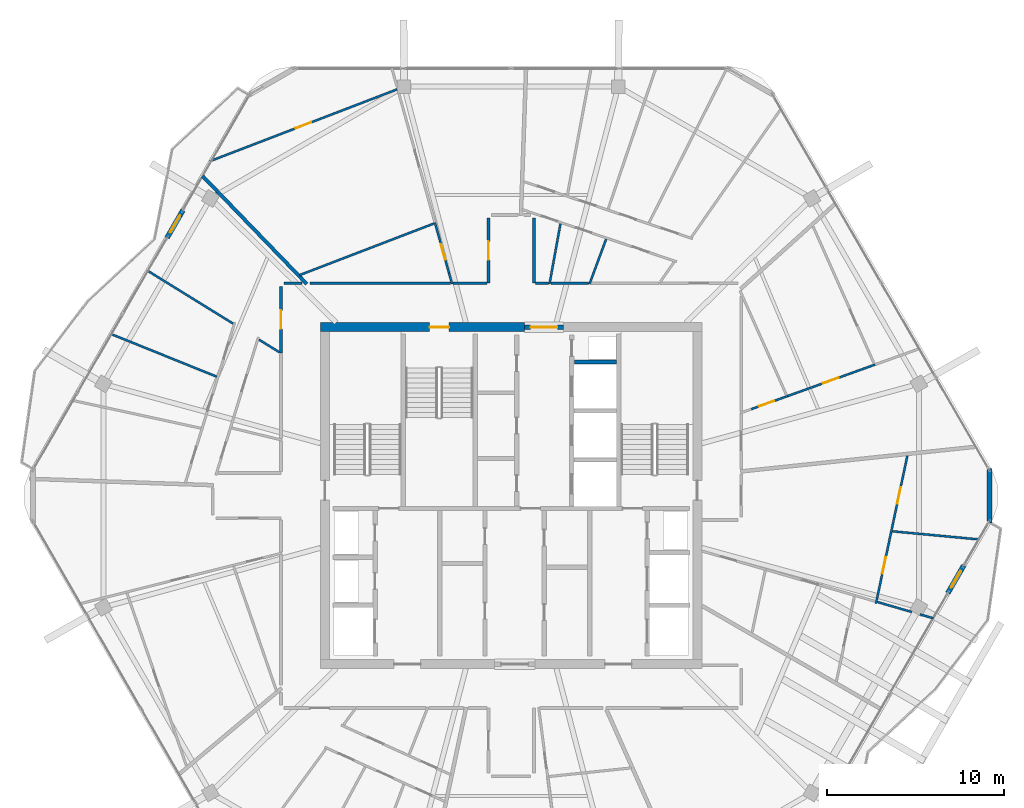
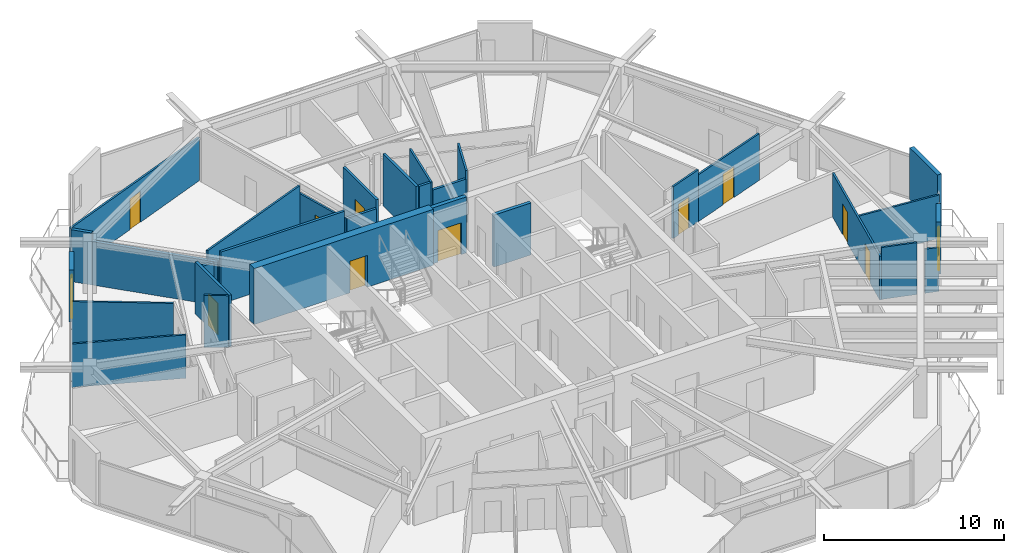
# One storey, part 18 of 23: 31 walls, 12 doors, 12 openings.
"""IFC4 building model written with IfcOpenShell, lengths in metres."""

from ifc_helpers import new_model, si_unit, direction, frame, frame_2d, origin, place, context, subcontext, project, spatial, rectangle, extrude, material, layer, layer_set, type_object, element, fill, save


model = new_model("IFC4")

# Units and contexts
model_context = context("Model", 3, precision=1e-05, world=origin(), true_north=direction((0.0, 1.0)))
body_context = subcontext(model_context, "Body", "Model", "MODEL_VIEW")
ifc_project = project(units=[si_unit("LENGTHUNIT", "METRE"), si_unit("AREAUNIT", "SQUARE_METRE"), si_unit("VOLUMEUNIT", "CUBIC_METRE"), si_unit("PLANEANGLEUNIT", "RADIAN"), si_unit("MASSUNIT", "GRAM", prefix="KILO")], contexts=[model_context])

# Site, building, storey
site_placement = place(None, origin())
site = spatial("IfcSite", under=ifc_project, at=site_placement, CompositionType="ELEMENT")
building_placement = place(site_placement, origin())
building = spatial("IfcBuilding", under=site, at=building_placement, Name="Zuhravey Tower", CompositionType="ELEMENT")
storey_placement = place(building_placement, frame((0.0, 0.0, 350.0)))
storey = spatial("IfcBuildingStorey", under=building, at=storey_placement, Name="L89", CompositionType="ELEMENT", Elevation=350.0)

# Wall, opening, door
ifc_material_1 = material(Name="Concrete C50/60", Category="concrete")
ifc_layer_1 = layer(ifc_material_1, 0.5)
ifc_layer_set_1 = layer_set([ifc_layer_1], Name="Concrete C50/60")
wall_type_1 = type_object("IfcWallType", Name="Core Shear Wall 500", PredefinedType="SHEAR", material=ifc_layer_set_1)
wall_1_placement = place(storey_placement, frame((36.75, 41.5, 0.0), z_axis=(0.0, 0.0, 1.0), x_axis=(-1.0, 0.0, 0.0)))
wall_1 = element("IfcWall", 1, at=wall_1_placement, inside=storey, type_object=wall_type_1, Name="L89 North-West Core Shear Wall CW50", PredefinedType="SHEAR", context=body_context, shape_type="SweptSolid", body=[
    extrude(rectangle(XDim=11.5, YDim=0.5, at=frame_2d((5.75, 0.0))), origin(), (0.0, 0.0, 1.0), 3.800048828125),
])
opening_1_placement = place(wall_1_placement, frame((4.25, 0.0, 0.0)))
opening_1 = element("IfcOpeningElement", 2, at=opening_1_placement, cuts=wall_1, Name="Opening STD1", PredefinedType="OPENING", context=body_context, shape_type="SweptSolid", body=[
    extrude(rectangle(XDim=1.10009765625, YDim=2.14990234375, at=frame_2d((0.550048828125, 1.074951171875))), frame((0.0, 0.261962890625, 0.0), z_axis=(0.0, -1.0, 0.0), x_axis=(1.0, 0.0, 0.0)), (0.0, 0.0, 1.0), 0.52392578125),
])
ifc_material_2 = material(Name="Galvanised fire-rated steel leaf", Category="steel")
door_type_1 = type_object("IfcDoorType", Name="Protected Stair Fire Door 1100x2150", OperationType="NOTDEFINED", PredefinedType="USERDEFINED", material=ifc_material_2)
door_1_placement = place(opening_1_placement, origin())
door_1 = element("IfcDoor", 3, at=door_1_placement, inside=storey, type_object=door_type_1, Name="L89 Stair ST3 Door", ObjectType="EXITDOOR", OperationType="SINGLE_SWING_RIGHT", OverallHeight=2.14990234375, OverallWidth=1.10009765625, PredefinedType="USERDEFINED", context=body_context, shape_type="SweptSolid", body=[
    extrude(rectangle(XDim=1.10009765625, YDim=2.14990234375, at=frame_2d((0.550048828125, 1.074951171875))), frame((0.0, 0.02490234375, 0.0), z_axis=(0.0, -1.0, 0.0), x_axis=(1.0, 0.0, 0.0)), (0.0, 0.0, 1.0), 0.050048828125),
])
fill(opening_1, door_1)

ifc_material_3 = material(Name="Gypsum fire-rated stud partition")
ifc_layer_2 = layer(ifc_material_3, 0.159912109375)
ifc_layer_set_2 = layer_set([ifc_layer_2], Name="Gypsum fire-rated stud partition")
wall_type_2 = type_object("IfcWallType", Name="Corridor Fire Partition 160", PredefinedType="PARTITIONING", material=ifc_layer_set_2)
wall_2_placement = place(storey_placement, frame((34.719970703125, 47.64990234375, 0.0), z_axis=(0.0, 0.0, 1.0), x_axis=(0.0, -1.0, 0.0)))
wall_2 = element("IfcWall", 4, at=wall_2_placement, inside=storey, type_object=wall_type_2, Name="L89 IW16 Partition 026", PredefinedType="PARTITIONING", context=body_context, shape_type="SweptSolid", body=[
    extrude(rectangle(XDim=3.669921875, YDim=0.159912109375, at=frame_2d((1.8349609375, 0.0))), origin(), (0.0, 0.0, 1.0), 3.52001953125),
])
opening_2_placement = place(wall_2_placement, frame((1.31005859375, 0.0, 0.0)))
opening_2 = element("IfcOpeningElement", 5, at=opening_2_placement, cuts=wall_2, Name="Opening APD1", PredefinedType="OPENING", context=body_context, shape_type="SweptSolid", body=[
    extrude(rectangle(XDim=1.050048828125, YDim=2.14990234375, at=frame_2d((0.52490234375, 1.074951171875))), frame((0.0, 0.092041015625, 0.0), z_axis=(0.0, -1.0, 0.0), x_axis=(1.0, 0.0, 0.0)), (0.0, 0.0, 1.0), 0.183837890625),
])
ifc_material_4 = material(Name="Solid-core oak fire-rated leaf")
door_type_2 = type_object("IfcDoorType", Name="Apartment Entrance Fire Door 1050x2150", OperationType="NOTDEFINED", PredefinedType="DOOR", material=ifc_material_4)
door_2_placement = place(opening_2_placement, frame((1.050048828125, 0.0, 0.0), z_axis=(0.0, 0.0, 1.0), x_axis=(-1.0, 0.0, 0.0)))
door_2 = element("IfcDoor", 6, at=door_2_placement, inside=storey, type_object=door_type_2, Name="L89 Door 026.1", OperationType="SINGLE_SWING_RIGHT", OverallHeight=2.14990234375, OverallWidth=1.050048828125, PredefinedType="DOOR", context=body_context, shape_type="SweptSolid", body=[
    extrude(rectangle(XDim=1.050048828125, YDim=2.14990234375, at=frame_2d((0.52490234375, 1.074951171875))), frame((0.0, 0.02490234375, 0.0), z_axis=(0.0, -1.0, 0.0), x_axis=(1.0, 0.0, 0.0)), (0.0, 0.0, 1.0), 0.050048828125),
])
fill(opening_2, door_2)

wall_3_placement = place(storey_placement, frame((23.02001953125, 43.79931640625, 0.0), z_axis=(0.0, 0.0, 1.0), x_axis=(0.0, -1.0, 0.0)))
wall_3 = element("IfcWall", 7, at=wall_3_placement, inside=storey, type_object=wall_type_2, Name="L89 IW16 Partition 029", PredefinedType="PARTITIONING", context=body_context, shape_type="SweptSolid", body=[
    extrude(rectangle(XDim=3.74658203125, YDim=0.159912109375, at=frame_2d((1.873291015625, 0.0))), origin(), (0.0, 0.0, 1.0), 3.52001953125),
])
opening_3_placement = place(wall_3_placement, frame((1.348388671875, 0.0, 0.0)))
opening_3 = element("IfcOpeningElement", 8, at=opening_3_placement, cuts=wall_3, Name="Opening APD1", PredefinedType="OPENING", context=body_context, shape_type="SweptSolid", body=[
    extrude(rectangle(XDim=1.050048828125, YDim=2.14990234375, at=frame_2d((0.52490234375, 1.074951171875))), frame((0.0, 0.092041015625, 0.0), z_axis=(0.0, -1.0, 0.0), x_axis=(1.0, 0.0, 0.0)), (0.0, 0.0, 1.0), 0.183837890625),
])
door_3_placement = place(opening_3_placement, frame((1.050048828125, 0.0, 0.0), z_axis=(0.0, 0.0, 1.0), x_axis=(-1.0, 0.0, 0.0)))
door_3 = element("IfcDoor", 9, at=door_3_placement, inside=storey, type_object=door_type_2, Name="L89 Door 029.1", OperationType="SINGLE_SWING_RIGHT", OverallHeight=2.14990234375, OverallWidth=1.050048828125, PredefinedType="DOOR", context=body_context, shape_type="SweptSolid", body=[
    extrude(rectangle(XDim=1.050048828125, YDim=2.14990234375, at=frame_2d((0.52490234375, 1.074951171875))), frame((0.0, 0.02490234375, 0.0), z_axis=(0.0, -1.0, 0.0), x_axis=(1.0, 0.0, 0.0)), (0.0, 0.0, 1.0), 0.050048828125),
])
fill(opening_3, door_3)

# Walls
wall_4_placement = place(storey_placement, frame((40.36376953125, 43.97998046875, 0.0), z_axis=(0.0, 0.0, 1.0), x_axis=(-1.0, 0.0, 0.0)))
element("IfcWall", 10, at=wall_4_placement, inside=storey, type_object=wall_type_2, Name="L89 IW16 Partition 102", PredefinedType="PARTITIONING", context=body_context, shape_type="SweptSolid", body=[
    extrude(rectangle(XDim=2.12255859375, YDim=0.159912109375, at=frame_2d((1.061279296875, 0.0))), origin(), (0.0, 0.0, 1.0), 2.969970703125),
])
wall_5_placement = place(storey_placement, frame((37.280029296875, 43.97998046875, 0.0), z_axis=(0.0, 0.0, 1.0), x_axis=(0.0, 1.0, 0.0)))
element("IfcWall", 11, at=wall_5_placement, inside=storey, type_object=wall_type_2, Name="L89 IW16 Partition 103", PredefinedType="PARTITIONING", context=body_context, shape_type="SweptSolid", body=[
    extrude(rectangle(XDim=3.669921875, YDim=0.159912109375, at=frame_2d((1.8349609375, 0.0))), origin(), (0.0, 0.0, 1.0), 3.52001953125),
])
wall_6_placement = place(storey_placement, frame((38.102783203125, 43.97998046875, 0.0), z_axis=(0.0, 0.0, 1.0), x_axis=(-1.0, 0.0, 0.0)))
element("IfcWall", 12, at=wall_6_placement, inside=storey, type_object=wall_type_2, Name="L89 IW16 Partition 104", PredefinedType="PARTITIONING", context=body_context, shape_type="SweptSolid", body=[
    extrude(rectangle(XDim=0.73486328125, YDim=0.159912109375, at=frame_2d((0.367431640625, 0.0))), origin(), (0.0, 0.0, 1.0), 3.52001953125),
])
wall_7_placement = place(storey_placement, frame((34.632080078125, 43.97998046875, 0.0), z_axis=(0.0, 0.0, 1.0), x_axis=(-1.0, 0.0, 0.0)))
element("IfcWall", 13, at=wall_7_placement, inside=storey, type_object=wall_type_2, Name="L89 IW16 Partition 106", PredefinedType="PARTITIONING", context=body_context, shape_type="SweptSolid", body=[
    extrude(rectangle(XDim=1.906494140625, YDim=0.159912109375, at=frame_2d((0.953125, 0.0))), origin(), (0.0, 0.0, 1.0), 2.969970703125),
])
wall_8_placement = place(storey_placement, frame((32.58447265625, 43.97998046875, 0.0), z_axis=(0.0, 0.0, 1.0), x_axis=(-1.0, 0.0, 0.0)))
element("IfcWall", 14, at=wall_8_placement, inside=storey, type_object=wall_type_2, Name="L89 IW16 Partition 108", PredefinedType="PARTITIONING", context=body_context, shape_type="SweptSolid", body=[
    extrude(rectangle(XDim=7.925537109375, YDim=0.159912109375, at=frame_2d((3.962890625, 0.0))), origin(), (0.0, 0.0, 1.0), 3.52001953125),
])
wall_9_placement = place(storey_placement, frame((24.19921875, 43.97998046875, 0.0), z_axis=(0.0, 0.0, 1.0), x_axis=(-1.0, 0.0, 0.0)))
element("IfcWall", 15, at=wall_9_placement, inside=storey, type_object=wall_type_2, Name="L89 IW16 Partition 109", PredefinedType="PARTITIONING", context=body_context, shape_type="SweptSolid", body=[
    extrude(rectangle(XDim=0.99853515625, YDim=0.159912109375, at=frame_2d((0.499267578125, 0.0))), origin(), (0.0, 0.0, 1.0), 2.969970703125),
])

# Wall, opening, door
ifc_material_5 = material(Name="Precast concrete C40/50", Category="concrete")
ifc_layer_3 = layer(ifc_material_5, 0.280029296875)
ifc_layer_set_3 = layer_set([ifc_layer_3], Name="Precast concrete C40/50")
wall_type_3 = type_object("IfcWallType", Name="Crown Architectural Wall 280", PredefinedType="SOLIDWALL", material=ifc_layer_set_3)
wall_10_placement = place(storey_placement, frame((61.5205078125, 28.0546875, 0.0), z_axis=(0.0, 0.0, 1.0), x_axis=(-0.499982180423, -0.866035691677, 0.0)))
wall_10 = element("IfcWall", 16, at=wall_10_placement, inside=storey, type_object=wall_type_3, Name="L89 Face 6 Facade Pier EW28-1", PredefinedType="SOLIDWALL", context=body_context, shape_type="SweptSolid", body=[
    extrude(rectangle(XDim=1.7900390625, YDim=0.280029296875, at=frame_2d((0.89501953125, 0.0))), origin(), (0.0, 0.0, 1.0), 3.52001953125),
])
opening_4_placement = place(wall_10_placement, frame((0.344970703125, 0.0, 0.0)))
opening_4 = element("IfcOpeningElement", 17, at=opening_4_placement, cuts=wall_10, Name="Opening BLD1", PredefinedType="OPENING", context=body_context, shape_type="SweptSolid", body=[
    extrude(rectangle(XDim=1.10009765625, YDim=2.199951171875, at=frame_2d((0.550048828125, 1.10009765625))), frame((0.0, 0.152099609375, 0.0), z_axis=(0.0, -1.0, 0.0), x_axis=(1.0, 0.0, 0.0)), (0.0, 0.0, 1.0), 0.303955078125),
])
ifc_material_6 = material(Name="Thermally broken aluminium and low-E glass", Category="aluminium")
door_type_3 = type_object("IfcDoorType", Name="Balcony & Sky-Tray Glazed Door 1100x2200", OperationType="NOTDEFINED", PredefinedType="DOOR", material=ifc_material_6)
door_4_placement = place(opening_4_placement, frame((1.10009765625, 0.0, 0.0), z_axis=(0.0, 0.0, 1.0), x_axis=(-1.0, 0.0, 0.0)))
door_4 = element("IfcDoor", 18, at=door_4_placement, inside=storey, type_object=door_type_3, Name="L89 Face 6 Wave Balcony Door", OperationType="SINGLE_SWING_LEFT", OverallHeight=2.199951171875, OverallWidth=1.10009765625, PredefinedType="DOOR", context=body_context, shape_type="SweptSolid", body=[
    extrude(rectangle(XDim=1.10009765625, YDim=2.199951171875, at=frame_2d((0.550048828125, 1.10009765625))), frame((0.0, 0.02490234375, 0.0), z_axis=(0.0, -1.0, 0.0), x_axis=(1.0, 0.0, 0.0)), (0.0, 0.0, 1.0), 0.050048828125),
])
fill(opening_4, door_4)

wall_11_placement = place(storey_placement, frame((16.59765625, 46.54248046875, 0.0), z_axis=(0.0, 0.0, 1.0), x_axis=(0.499982180423, 0.866035691677, 0.0)))
wall_11 = element("IfcWall", 19, at=wall_11_placement, inside=storey, type_object=wall_type_3, Name="L89 Face 3 Facade Pier EW28-1", PredefinedType="SOLIDWALL", context=body_context, shape_type="SweptSolid", body=[
    extrude(rectangle(XDim=1.7900390625, YDim=0.280029296875, at=frame_2d((0.89501953125, 0.0))), origin(), (0.0, 0.0, 1.0), 3.52001953125),
])
opening_5_placement = place(wall_11_placement, frame((0.344970703125, 0.0, 0.0)))
opening_5 = element("IfcOpeningElement", 20, at=opening_5_placement, cuts=wall_11, Name="Opening BLD1", PredefinedType="OPENING", context=body_context, shape_type="SweptSolid", body=[
    extrude(rectangle(XDim=1.10009765625, YDim=2.199951171875, at=frame_2d((0.550048828125, 1.10009765625))), frame((0.0, 0.152099609375, 0.0), z_axis=(0.0, -1.0, 0.0), x_axis=(1.0, 0.0, 0.0)), (0.0, 0.0, 1.0), 0.303955078125),
])
door_5_placement = place(opening_5_placement, frame((1.10009765625, 0.0, 0.0), z_axis=(0.0, 0.0, 1.0), x_axis=(-1.0, 0.0, 0.0)))
door_5 = element("IfcDoor", 21, at=door_5_placement, inside=storey, type_object=door_type_3, Name="L89 Face 3 Wave Balcony Door", OperationType="SINGLE_SWING_RIGHT", OverallHeight=2.199951171875, OverallWidth=1.10009765625, PredefinedType="DOOR", context=body_context, shape_type="SweptSolid", body=[
    extrude(rectangle(XDim=1.10009765625, YDim=2.199951171875, at=frame_2d((0.550048828125, 1.10009765625))), frame((0.0, 0.02490234375, 0.0), z_axis=(0.0, -1.0, 0.0), x_axis=(1.0, 0.0, 0.0)), (0.0, 0.0, 1.0), 0.050048828125),
])
fill(opening_5, door_5)

# Wall
wall_12_placement = place(storey_placement, frame((62.968505859375, 33.532470703125, 0.0), z_axis=(0.0, 0.0, 1.0), x_axis=(0.0, -1.0, 0.0)))
element("IfcWall", 22, at=wall_12_placement, inside=storey, type_object=wall_type_3, Name="L89 Rounded Corner Closure Wall EW28-12", PredefinedType="SOLIDWALL", context=body_context, shape_type="SweptSolid", body=[
    extrude(rectangle(XDim=3.06494140625, YDim=0.280029296875, at=frame_2d((1.532470703125, 0.0))), origin(), (0.0, 0.0, 1.0), 3.52001953125),
])

# Wall, opening, door
ifc_layer_4 = layer(ifc_material_1, 0.25)
ifc_layer_set_4 = layer_set([ifc_layer_4], Name="Concrete C50/60")
wall_type_4 = type_object("IfcWallType", Name="Firefighting Shaft & Stair Wall 250", PredefinedType="SOLIDWALL", material=ifc_layer_set_4)
wall_13_placement = place(storey_placement, frame((36.760009765625, 41.5, 0.0), z_axis=(0.0, 0.0, 1.0), x_axis=(1.0, 0.0, 0.0)))
wall_13 = element("IfcWall", 23, at=wall_13_placement, inside=storey, type_object=wall_type_4, Name="L89 FW25 Shaft Wall 002", PredefinedType="SOLIDWALL", context=body_context, shape_type="SweptSolid", body=[
    extrude(rectangle(XDim=2.179931640625, YDim=0.25, at=frame_2d((1.08984375, 0.0))), origin(), (0.0, 0.0, 1.0), 3.800048828125),
])
opening_6_placement = place(wall_13_placement, frame((0.340087890625, 0.0, 0.0)))
opening_6 = element("IfcOpeningElement", 24, at=opening_6_placement, cuts=wall_13, Name="Opening FFD1", PredefinedType="OPENING", context=body_context, shape_type="SweptSolid", body=[
    extrude(rectangle(XDim=1.5, YDim=2.14990234375, at=frame_2d((0.75, 1.074951171875))), frame((0.0, 0.136962890625, 0.0), z_axis=(0.0, -1.0, 0.0), x_axis=(1.0, 0.0, 0.0)), (0.0, 0.0, 1.0), 0.27392578125),
])
door_type_4 = type_object("IfcDoorType", Name="Firefighting Lobby Double Door 1500x2150", OperationType="DOUBLE_DOOR_SINGLE_SWING", PredefinedType="DOOR", material=ifc_material_2)
door_6_placement = place(opening_6_placement, origin())
door_6 = element("IfcDoor", 25, at=door_6_placement, inside=storey, type_object=door_type_4, Name="L89 North Lift Lobby Exit Door", OperationType="DOUBLE_DOOR_SINGLE_SWING", OverallHeight=2.14990234375, OverallWidth=1.5, PredefinedType="DOOR", context=body_context, shape_type="SweptSolid", body=[
    extrude(rectangle(XDim=1.5, YDim=2.14990234375, at=frame_2d((0.75, 1.074951171875))), frame((0.0, 0.02490234375, 0.0), z_axis=(0.0, -1.0, 0.0), x_axis=(1.0, 0.0, 0.0)), (0.0, 0.0, 1.0), 0.050048828125),
])
fill(opening_6, door_6)

# Walls
ifc_material_7 = material(Name="Gypsum double-stud party assembly")
ifc_layer_5 = layer(ifc_material_7, 0.199951171875)
ifc_layer_set_5 = layer_set([ifc_layer_5], Name="Gypsum double-stud party assembly")
wall_type_5 = type_object("IfcWallType", Name="Inter-Tenancy Party Wall 200", PredefinedType="PARTITIONING", material=ifc_layer_set_5)
wall_14_placement = place(storey_placement, frame((24.4697265625, 43.93994140625, 0.0), z_axis=(0.0, 0.0, 1.0), x_axis=(-0.694657696383, 0.719340451286, 0.0)))
element("IfcWall", 26, at=wall_14_placement, inside=storey, type_object=wall_type_5, Name="L89 IW20 Partition 069", PredefinedType="PARTITIONING", context=body_context, shape_type="SweptSolid", body=[
    extrude(rectangle(XDim=7.240234375, YDim=0.199951171875, at=frame_2d((3.6201171875, 0.0))), origin(), (0.0, 0.0, 1.0), 2.93994140625),
])
wall_15_placement = place(storey_placement, frame((19.43212890625, 49.156494140625, 0.0), z_axis=(0.0, 0.0, 1.0), x_axis=(-0.694627356025, 0.719369749337, 0.0)))
element("IfcWall", 27, at=wall_15_placement, inside=storey, type_object=wall_type_5, Name="L89 IW20 Partition 070", PredefinedType="PARTITIONING", context=body_context, shape_type="SweptSolid", body=[
    extrude(rectangle(XDim=1.19384765625, YDim=0.199951171875, at=frame_2d((0.596923828125, 0.0))), origin(), (0.0, 0.0, 1.0), 3.52001953125),
])
ifc_material_8 = material(Name="Gypsum acoustic stud assembly")
ifc_layer_6 = layer(ifc_material_8, 0.219970703125)
ifc_layer_set_6 = layer_set([ifc_layer_6], Name="Gypsum acoustic stud assembly")
wall_type_6 = type_object("IfcWallType", Name="School Acoustic Compartment Wall 220", PredefinedType="PARTITIONING", material=ifc_layer_set_6)
wall_16_placement = place(storey_placement, frame((39.55810546875, 39.52490234375, 0.0), z_axis=(0.0, 0.0, 1.0), x_axis=(1.0, 0.0, 0.0)))
element("IfcWall", 28, at=wall_16_placement, inside=storey, type_object=wall_type_6, Name="L89 IW22 Partition 055", PredefinedType="PARTITIONING", context=body_context, shape_type="SweptSolid", body=[
    extrude(rectangle(XDim=2.3837890625, YDim=0.219970703125, at=frame_2d((1.19189453125, 0.0))), origin(), (0.0, 0.0, 1.0), 3.52001953125),
])

# Wall, opening, door
ifc_material_9 = material(Name="Gypsum metal-stud partition")
ifc_layer_7 = layer(ifc_material_9, 0.1201171875)
ifc_layer_set_7 = layer_set([ifc_layer_7], Name="Gypsum metal-stud partition")
wall_type_7 = type_object("IfcWallType", Name="Unit Internal Partition 120", PredefinedType="PARTITIONING", material=ifc_layer_set_7)
wall_17_placement = place(storey_placement, frame((32.49609375, 44.550048828125, 0.0), z_axis=(0.0, 0.0, 1.0), x_axis=(-0.268945369645, 0.963155433015, 0.0)))
wall_17 = element("IfcWall", 29, at=wall_17_placement, inside=storey, type_object=wall_type_7, Name="L89 IW12 Partition 023", PredefinedType="PARTITIONING", context=body_context, shape_type="SweptSolid", body=[
    extrude(rectangle(XDim=2.9501953125, YDim=0.1201171875, at=frame_2d((1.47509765625, 0.0))), origin(), (0.0, 0.0, 1.0), 2.969970703125),
])
opening_7_placement = place(wall_17_placement, frame((0.789306640625, 0.0, 0.0)))
opening_7 = element("IfcOpeningElement", 30, at=opening_7_placement, cuts=wall_17, Name="Opening WCD1", PredefinedType="OPENING", context=body_context, shape_type="SweptSolid", body=[
    extrude(rectangle(XDim=0.89990234375, YDim=2.10009765625, at=frame_2d((0.449951171875, 1.050048828125))), frame((0.0, 0.072021484375, 0.0), z_axis=(0.0, -1.0, 0.0), x_axis=(1.0, 0.0, 0.0)), (0.0, 0.0, 1.0), 0.14404296875),
])
ifc_material_10 = material(Name="Moisture-resistant timber leaf", Category="wood")
door_type_5 = type_object("IfcDoorType", Name="Bathroom & WC Internal Door 900x2100", OperationType="NOTDEFINED", PredefinedType="DOOR", material=ifc_material_10)
door_7_placement = place(opening_7_placement, origin())
door_7 = element("IfcDoor", 31, at=door_7_placement, inside=storey, type_object=door_type_5, Name="Apartment L89-02 Bathroom Door", OperationType="SINGLE_SWING_LEFT", OverallHeight=2.10009765625, OverallWidth=0.89990234375, PredefinedType="DOOR", context=body_context, shape_type="SweptSolid", body=[
    extrude(rectangle(XDim=0.89990234375, YDim=2.10009765625, at=frame_2d((0.449951171875, 1.050048828125))), frame((0.0, 0.02490234375, 0.0), z_axis=(0.0, -1.0, 0.0), x_axis=(1.0, 0.0, 0.0)), (0.0, 0.0, 1.0), 0.050048828125),
])
fill(opening_7, door_7)

wall_18_placement = place(storey_placement, frame((29.56640625, 54.908203125, 0.0), z_axis=(0.0, 0.0, 1.0), x_axis=(-0.933585379148, -0.358355047184, 0.0)))
wall_18 = element("IfcWall", 32, at=wall_18_placement, inside=storey, type_object=wall_type_7, Name="L89 IW12 Partition 025", PredefinedType="PARTITIONING", context=body_context, shape_type="SweptSolid", body=[
    extrude(rectangle(XDim=11.326904296875, YDim=0.1201171875, at=frame_2d((5.66357421875, 0.0))), origin(), (0.0, 0.0, 1.0), 2.93994140625),
])
opening_8_placement = place(wall_18_placement, frame((5.1884765625, 0.0, 0.0)))
opening_8 = element("IfcOpeningElement", 33, at=opening_8_placement, cuts=wall_18, Name="Opening IND1", PredefinedType="OPENING", context=body_context, shape_type="SweptSolid", body=[
    extrude(rectangle(XDim=0.949951171875, YDim=2.10009765625, at=frame_2d((0.47509765625, 1.050048828125))), frame((0.0, 0.072021484375, 0.0), z_axis=(0.0, -1.0, 0.0), x_axis=(1.0, 0.0, 0.0)), (0.0, 0.0, 1.0), 0.14404296875),
])
ifc_material_11 = material(Name="Painted engineered timber leaf", Category="wood")
door_type_6 = type_object("IfcDoorType", Name="Internal Room & Bedroom Door 950x2100", OperationType="NOTDEFINED", PredefinedType="DOOR", material=ifc_material_11)
door_8_placement = place(opening_8_placement, frame((0.949951171875, 0.0, 0.0), z_axis=(0.0, 0.0, 1.0), x_axis=(-1.0, 0.0, 0.0)))
door_8 = element("IfcDoor", 34, at=door_8_placement, inside=storey, type_object=door_type_6, Name="Apartment L89-02 Bedroom 1 Door", OperationType="SINGLE_SWING_LEFT", OverallHeight=2.10009765625, OverallWidth=0.949951171875, PredefinedType="DOOR", context=body_context, shape_type="SweptSolid", body=[
    extrude(rectangle(XDim=0.949951171875, YDim=2.10009765625, at=frame_2d((0.47509765625, 1.050048828125))), frame((0.0, 0.02490234375, 0.0), z_axis=(0.0, -1.0, 0.0), x_axis=(1.0, 0.0, 0.0)), (0.0, 0.0, 1.0), 0.050048828125),
])
fill(opening_8, door_8)

# Wall, openings, doors
wall_19_placement = place(storey_placement, frame((56.572998046875, 25.9189453125, 0.0), z_axis=(0.0, 0.0, 1.0), x_axis=(0.207884804538, 0.978153315203, 0.0)))
wall_19 = element("IfcWall", 35, at=wall_19_placement, inside=storey, type_object=wall_type_7, Name="L89 IW12 Partition 042", PredefinedType="PARTITIONING", context=body_context, shape_type="SweptSolid", body=[
    extrude(rectangle(XDim=8.51904296875, YDim=0.1201171875, at=frame_2d((4.259521484375, 0.0))), origin(), (0.0, 0.0, 1.0), 2.969970703125),
])
opening_9_placement = place(wall_19_placement, frame((1.72802734375, 0.0, 0.0)))
opening_9 = element("IfcOpeningElement", 36, at=opening_9_placement, cuts=wall_19, Name="Opening IND1", PredefinedType="OPENING", context=body_context, shape_type="SweptSolid", body=[
    extrude(rectangle(XDim=0.949951171875, YDim=2.10009765625, at=frame_2d((0.47509765625, 1.050048828125))), frame((0.0, 0.072021484375, 0.0), z_axis=(0.0, -1.0, 0.0), x_axis=(1.0, 0.0, 0.0)), (0.0, 0.0, 1.0), 0.14404296875),
])
opening_10_placement = place(wall_19_placement, frame((5.746826171875, 0.0, 0.0)))
opening_10 = element("IfcOpeningElement", 37, at=opening_10_placement, cuts=wall_19, Name="Opening IND1", PredefinedType="OPENING", context=body_context, shape_type="SweptSolid", body=[
    extrude(rectangle(XDim=0.949951171875, YDim=2.10009765625, at=frame_2d((0.47509765625, 1.050048828125))), frame((0.0, 0.072021484375, 0.0), z_axis=(0.0, -1.0, 0.0), x_axis=(1.0, 0.0, 0.0)), (0.0, 0.0, 1.0), 0.14404296875),
])
door_9_placement = place(opening_9_placement, frame((0.949951171875, 0.0, 0.0), z_axis=(0.0, 0.0, 1.0), x_axis=(-1.0, 0.0, 0.0)))
door_9 = element("IfcDoor", 38, at=door_9_placement, inside=storey, type_object=door_type_6, Name="Apartment L89-08 Family Study Door", OperationType="SINGLE_SWING_RIGHT", OverallHeight=2.10009765625, OverallWidth=0.949951171875, PredefinedType="DOOR", context=body_context, shape_type="SweptSolid", body=[
    extrude(rectangle(XDim=0.949951171875, YDim=2.10009765625, at=frame_2d((0.47509765625, 1.050048828125))), frame((0.0, 0.02490234375, 0.0), z_axis=(0.0, -1.0, 0.0), x_axis=(1.0, 0.0, 0.0)), (0.0, 0.0, 1.0), 0.050048828125),
])
fill(opening_9, door_9)
door_10_placement = place(opening_10_placement, frame((0.949951171875, 0.0, 0.0), z_axis=(0.0, 0.0, 1.0), x_axis=(-1.0, 0.0, 0.0)))
door_10 = element("IfcDoor", 39, at=door_10_placement, inside=storey, type_object=door_type_6, Name="Apartment L89-08 Dining Room Door", OperationType="SINGLE_SWING_LEFT", OverallHeight=2.10009765625, OverallWidth=0.949951171875, PredefinedType="DOOR", context=body_context, shape_type="SweptSolid", body=[
    extrude(rectangle(XDim=0.949951171875, YDim=2.10009765625, at=frame_2d((0.47509765625, 1.050048828125))), frame((0.0, 0.02490234375, 0.0), z_axis=(0.0, -1.0, 0.0), x_axis=(1.0, 0.0, 0.0)), (0.0, 0.0, 1.0), 0.050048828125),
])
fill(opening_10, door_10)

# Wall, opening, door
wall_20_placement = place(storey_placement, frame((49.550048828125, 36.87841796875, 0.0), z_axis=(0.0, 0.0, 1.0), x_axis=(0.940904714612, 0.338671401244, 0.0)))
wall_20 = element("IfcWall", 40, at=wall_20_placement, inside=storey, type_object=wall_type_7, Name="L89 IW12 Partition 047", PredefinedType="PARTITIONING", context=body_context, shape_type="SweptSolid", body=[
    extrude(rectangle(XDim=2.158203125, YDim=0.1201171875, at=frame_2d((1.0791015625, 0.0))), origin(), (0.0, 0.0, 1.0), 3.52001953125),
])
opening_11_placement = place(wall_20_placement, frame((0.45654296875, 0.0, 0.0)))
opening_11 = element("IfcOpeningElement", 41, at=opening_11_placement, cuts=wall_20, Name="Opening WCD1", PredefinedType="OPENING", context=body_context, shape_type="SweptSolid", body=[
    extrude(rectangle(XDim=0.89990234375, YDim=2.10009765625, at=frame_2d((0.449951171875, 1.050048828125))), frame((0.0, 0.072021484375, 0.0), z_axis=(0.0, -1.0, 0.0), x_axis=(1.0, 0.0, 0.0)), (0.0, 0.0, 1.0), 0.14404296875),
])
door_11_placement = place(opening_11_placement, origin())
door_11 = element("IfcDoor", 42, at=door_11_placement, inside=storey, type_object=door_type_5, Name="Apartment L89-09 Bathroom Door", OperationType="SINGLE_SWING_RIGHT", OverallHeight=2.10009765625, OverallWidth=0.89990234375, PredefinedType="DOOR", context=body_context, shape_type="SweptSolid", body=[
    extrude(rectangle(XDim=0.89990234375, YDim=2.10009765625, at=frame_2d((0.449951171875, 1.050048828125))), frame((0.0, 0.02490234375, 0.0), z_axis=(0.0, -1.0, 0.0), x_axis=(1.0, 0.0, 0.0)), (0.0, 0.0, 1.0), 0.050048828125),
])
fill(opening_11, door_11)

wall_21_placement = place(storey_placement, frame((51.580810546875, 37.609375, 0.0), z_axis=(0.0, 0.0, 1.0), x_axis=(0.940870812365, 0.338765574461, 0.0)))
wall_21 = element("IfcWall", 43, at=wall_21_placement, inside=storey, type_object=wall_type_7, Name="L89 IW12 Partition 048", PredefinedType="PARTITIONING", context=body_context, shape_type="SweptSolid", body=[
    extrude(rectangle(XDim=5.250244140625, YDim=0.1201171875, at=frame_2d((2.625, 0.0))), origin(), (0.0, 0.0, 1.0), 3.169921875),
])
opening_12_placement = place(wall_21_placement, frame((2.125, 0.0, 0.0)))
opening_12 = element("IfcOpeningElement", 44, at=opening_12_placement, cuts=wall_21, Name="Opening IND1", PredefinedType="OPENING", context=body_context, shape_type="SweptSolid", body=[
    extrude(rectangle(XDim=0.949951171875, YDim=2.10009765625, at=frame_2d((0.47509765625, 1.050048828125))), frame((0.0, 0.072021484375, 0.0), z_axis=(0.0, -1.0, 0.0), x_axis=(1.0, 0.0, 0.0)), (0.0, 0.0, 1.0), 0.14404296875),
])
door_12_placement = place(opening_12_placement, origin())
door_12 = element("IfcDoor", 45, at=door_12_placement, inside=storey, type_object=door_type_6, Name="Apartment L89-09 Home Office Door", OperationType="SINGLE_SWING_LEFT", OverallHeight=2.10009765625, OverallWidth=0.949951171875, PredefinedType="DOOR", context=body_context, shape_type="SweptSolid", body=[
    extrude(rectangle(XDim=0.949951171875, YDim=2.10009765625, at=frame_2d((0.47509765625, 1.050048828125))), frame((0.0, 0.02490234375, 0.0), z_axis=(0.0, -1.0, 0.0), x_axis=(1.0, 0.0, 0.0)), (0.0, 0.0, 1.0), 0.050048828125),
])
fill(opening_12, door_12)

# Walls
wall_22_placement = place(storey_placement, frame((40.417724609375, 43.929931640625, 0.0), z_axis=(0.0, 0.0, 1.0), x_axis=(0.347234815936, 0.937778216105, 0.0)))
element("IfcWall", 46, at=wall_22_placement, inside=storey, type_object=wall_type_7, Name="L89 IW12 Partition 058", PredefinedType="PARTITIONING", context=body_context, shape_type="SweptSolid", body=[
    extrude(rectangle(XDim=2.69921875, YDim=0.1201171875, at=frame_2d((1.349609375, 0.0))), origin(), (0.0, 0.0, 1.0), 3.52001953125),
])
wall_23_placement = place(storey_placement, frame((38.162841796875, 43.929931640625, 0.0), z_axis=(0.0, 0.0, 1.0), x_axis=(0.178394636556, 0.983959020309, 0.0)))
element("IfcWall", 47, at=wall_23_placement, inside=storey, type_object=wall_type_7, Name="L89 IW12 Partition 059", PredefinedType="PARTITIONING", context=body_context, shape_type="SweptSolid", body=[
    extrude(rectangle(XDim=3.458251953125, YDim=0.1201171875, at=frame_2d((1.72900390625, 0.0))), origin(), (0.0, 0.0, 1.0), 3.52001953125),
])
wall_24_placement = place(storey_placement, frame((32.66748046875, 43.935791015625, 0.0), z_axis=(0.0, 0.0, 1.0), x_axis=(-0.268749408426, 0.963210130486, 0.0)))
element("IfcWall", 48, at=wall_24_placement, inside=storey, type_object=wall_type_7, Name="L89 IW12 Partition 066", PredefinedType="PARTITIONING", context=body_context, shape_type="SweptSolid", body=[
    extrude(rectangle(XDim=0.6376953125, YDim=0.1201171875, at=frame_2d((0.31884765625, 0.0))), origin(), (0.0, 0.0, 1.0), 2.969970703125),
])
wall_25_placement = place(storey_placement, frame((31.6455078125, 47.34326171875, 0.0), z_axis=(0.0, 0.0, 1.0), x_axis=(-0.933579396661, -0.358370632349, 0.0)))
element("IfcWall", 49, at=wall_25_placement, inside=storey, type_object=wall_type_7, Name="L89 IW12 Partition 068", PredefinedType="PARTITIONING", context=body_context, shape_type="SweptSolid", body=[
    extrude(rectangle(XDim=8.12109375, YDim=0.1201171875, at=frame_2d((4.060546875, 0.0))), origin(), (0.0, 0.0, 1.0), 3.52001953125),
])
wall_26_placement = place(storey_placement, frame((19.399658203125, 38.704833984375, 0.0), z_axis=(0.0, 0.0, 1.0), x_axis=(-0.927238534982, 0.374471226189, 0.0)))
element("IfcWall", 50, at=wall_26_placement, inside=storey, type_object=wall_type_7, Name="L89 IW12 Partition 072", PredefinedType="PARTITIONING", context=body_context, shape_type="SweptSolid", body=[
    extrude(rectangle(XDim=6.41796875, YDim=0.1201171875, at=frame_2d((3.208984375, 0.0))), origin(), (0.0, 0.0, 1.0), 2.93994140625),
])
wall_27_placement = place(storey_placement, frame((22.931884765625, 40.08349609375, 0.0), z_axis=(0.0, 0.0, 1.0), x_axis=(-0.85043369839, 0.52608224133, 0.0)))
element("IfcWall", 51, at=wall_27_placement, inside=storey, type_object=wall_type_7, Name="L89 IW12 Partition 074", PredefinedType="PARTITIONING", context=body_context, shape_type="SweptSolid", body=[
    extrude(rectangle(XDim=1.35791015625, YDim=0.1201171875, at=frame_2d((0.678955078125, 0.0))), origin(), (0.0, 0.0, 1.0), 3.52001953125),
])
wall_28_placement = place(storey_placement, frame((20.32177734375, 41.6982421875, 0.0), z_axis=(0.0, 0.0, 1.0), x_axis=(-0.850460895056, 0.526038274255, 0.0)))
element("IfcWall", 52, at=wall_28_placement, inside=storey, type_object=wall_type_7, Name="L89 IW12 Partition 075", PredefinedType="PARTITIONING", context=body_context, shape_type="SweptSolid", body=[
    extrude(rectangle(XDim=5.659912109375, YDim=0.1201171875, at=frame_2d((2.830078125, 0.0))), origin(), (0.0, 0.0, 1.0), 2.93994140625),
])
wall_29_placement = place(storey_placement, frame((57.5068359375, 29.98583984375, 0.0), z_axis=(0.0, 0.0, 1.0), x_axis=(0.995643444517, -0.093242326169, 0.0)))
element("IfcWall", 53, at=wall_29_placement, inside=storey, type_object=wall_type_7, Name="L89 IW12 Partition 092", PredefinedType="PARTITIONING", context=body_context, shape_type="SweptSolid", body=[
    extrude(rectangle(XDim=4.919921875, YDim=0.1201171875, at=frame_2d((2.4599609375, 0.0))), origin(), (0.0, 0.0, 1.0), 2.93994140625),
])
wall_30_placement = place(storey_placement, frame((56.6591796875, 25.998046875, 0.0), z_axis=(0.0, 0.0, 1.0), x_axis=(0.960282504677, -0.279029588417, 0.0)))
element("IfcWall", 54, at=wall_30_placement, inside=storey, type_object=wall_type_7, Name="L89 IW12 Partition 094", PredefinedType="PARTITIONING", context=body_context, shape_type="SweptSolid", body=[
    extrude(rectangle(XDim=2.01953125, YDim=0.1201171875, at=frame_2d((1.009765625, 0.0))), origin(), (0.0, 0.0, 1.0), 3.52001953125),
])
wall_31_placement = place(storey_placement, frame((59.052490234375, 25.302490234375, 0.0), z_axis=(0.0, 0.0, 1.0), x_axis=(0.960370297506, -0.278727271124, 0.0)))
element("IfcWall", 55, at=wall_31_placement, inside=storey, type_object=wall_type_7, Name="L89 IW12 Partition 095", PredefinedType="PARTITIONING", context=body_context, shape_type="SweptSolid", body=[
    extrude(rectangle(XDim=0.788330078125, YDim=0.1201171875, at=frame_2d((0.39404296875, 0.0))), origin(), (0.0, 0.0, 1.0), 2.987060546875),
])

save(model, "model.ifc")
